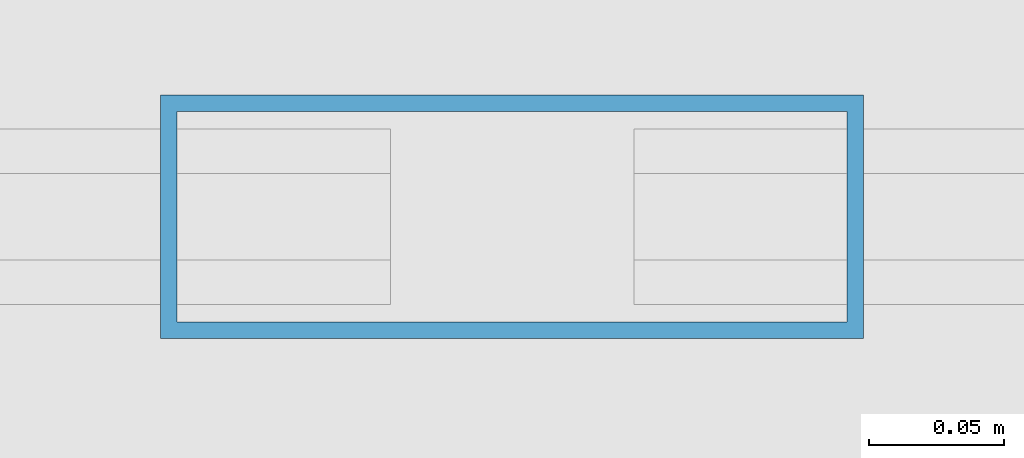
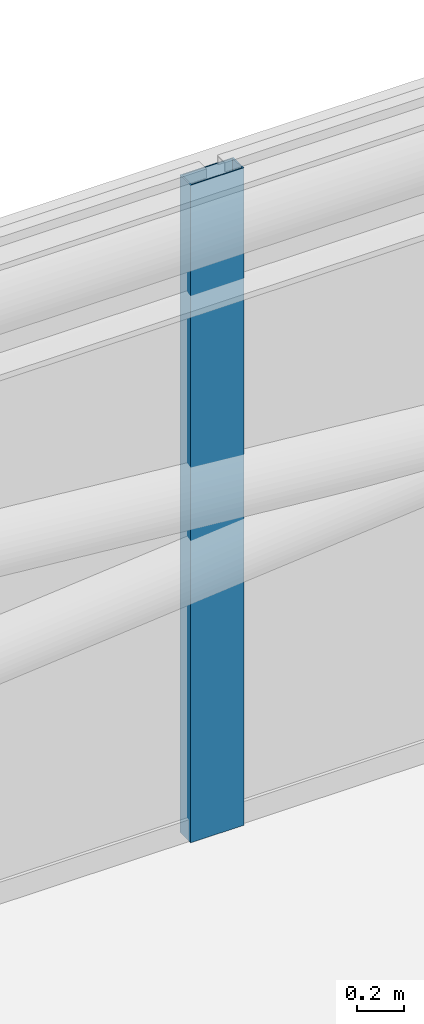
# One storey, part 12 of 22: 1 member, 1 element without a shape of its own.
"""IFC4 building model written with IfcOpenShell, lengths in metres."""

from ifc_helpers import new_model, si_unit, direction, frame, origin, origin_2d, place, context, subcontext, project, spatial, hollow_rectangle, extrude, material, layer, layer_set, material_profile, profile_set, type_object, element, aggregate, save


model = new_model("IFC4")

# Units and contexts
model_context = context("Model", 3, precision=1e-05, world=origin(), true_north=direction((0.0, 1.0)))
body_context = subcontext(model_context, "Body", "Model", "MODEL_VIEW")
ifc_project = project(units=[si_unit("LENGTHUNIT", "METRE"), si_unit("AREAUNIT", "SQUARE_METRE"), si_unit("VOLUMEUNIT", "CUBIC_METRE"), si_unit("PLANEANGLEUNIT", "RADIAN"), si_unit("MASSUNIT", "GRAM", prefix="KILO")], contexts=[model_context])

# Site, building, storey
site_placement = place(None, origin())
site = spatial("IfcSite", under=ifc_project, at=site_placement, CompositionType="ELEMENT")
building_placement = place(site_placement, origin())
building = spatial("IfcBuilding", under=site, at=building_placement, Name="Qobustan Lattice House", CompositionType="ELEMENT")
storey_placement = place(building_placement, frame((0.0, 0.0, 274.0)))
storey = spatial("IfcBuildingStorey", under=building, at=storey_placement, Name="L77", CompositionType="ELEMENT", Elevation=274.0)

# Curtain wall, member
ifc_material_1 = material(Name="Anodised aluminium and low-E glazing", Category="aluminium")
ifc_layer = layer(ifc_material_1, 0.219970703125)
ifc_layer_set = layer_set([ifc_layer], Name="Anodised aluminium and low-E glazing")
curtain_wall_type = type_object("IfcCurtainWallType", Name="CW-CRN-01", PredefinedType="USERDEFINED", material=ifc_layer_set)
curtain_wall_placement = place(storey_placement, origin())
curtain_wall = element("IfcCurtainWall", 1, at=curtain_wall_placement, inside=storey, type_object=curtain_wall_type, Name="L77 glass-point crown faceted curtain wall 10", ObjectType="CURTAIN WALL", PredefinedType="USERDEFINED")
ifc_material_2 = material(Name="Anodised aluminium EN AW-6063 T6", Category="aluminium")
ifc_material_profile = material_profile(ifc_material_2, hollow_rectangle(XDim=0.090087890625, YDim=0.260009765625, WallThickness=0.006103515625, at=origin_2d()), Name="CWM-CROWN-260x90")
ifc_profile_set = profile_set([ifc_material_profile], Name="Anodised aluminium EN AW-6063 T6")
member_type = type_object("IfcMemberType", Name="CWM-CRN-260", PredefinedType="MULLION", material=ifc_profile_set)
member_placement = place(storey_placement, frame((-2.1416015625, 12.201416015625, 0.0), z_axis=(0.0, 0.0, 1.0), x_axis=(0.0, 1.0, 0.0)))
member = element("IfcMember", 2, at=member_placement, type_object=member_type, Name="CW-CR mullion 5", PredefinedType="MULLION", context=body_context, shape_type="SweptSolid", body=[
    extrude(hollow_rectangle(XDim=0.090087890625, YDim=0.260009765625, WallThickness=0.006103515625, at=origin_2d()), origin(), (0.0, 0.0, 1.0), 3.39990234375),
])
aggregate(curtain_wall, [member])

save(model, "model.ifc")
